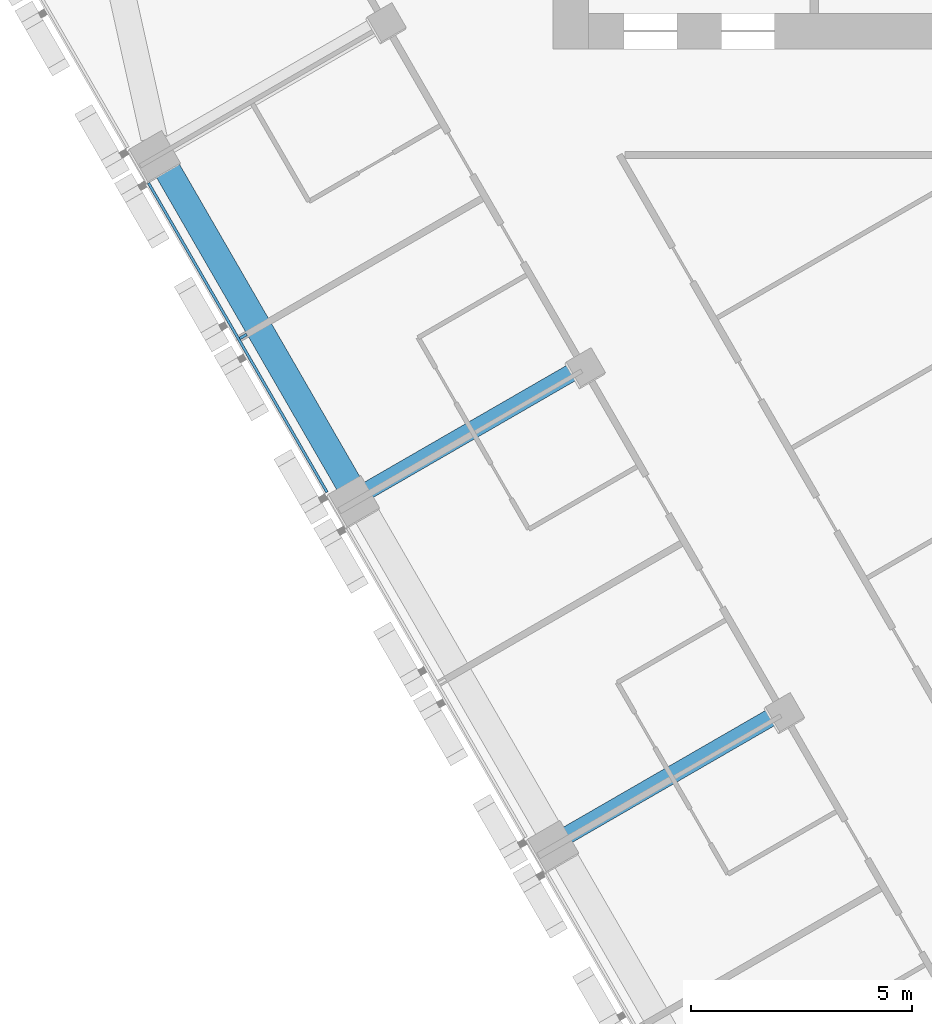
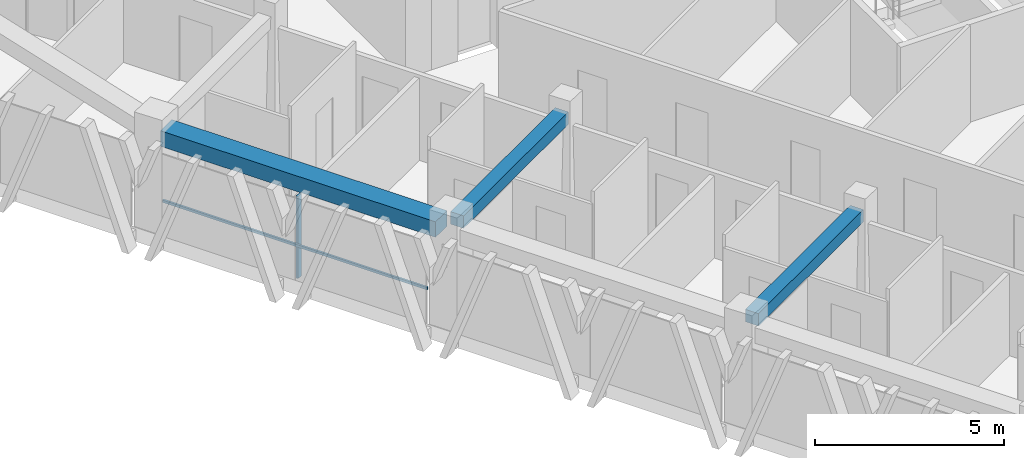
# One storey, part 3 of 16: 3 beams, 2 members, 1 element without a shape of its own.
"""IFC4 building model written with IfcOpenShell, lengths in metres."""

from ifc_helpers import new_model, si_unit, direction, frame, origin, origin_2d, place, context, subcontext, project, spatial, rectangle, extrude, material, layer, layer_set, material_profile, profile_set, type_object, element, aggregate, save


model = new_model("IFC4")

# Units and contexts
model_context = context("Model", 3, precision=1e-05, world=origin(), true_north=direction((0.0, 1.0)))
body_context = subcontext(model_context, "Body", "Model", "MODEL_VIEW")
ifc_project = project(units=[si_unit("LENGTHUNIT", "METRE"), si_unit("AREAUNIT", "SQUARE_METRE"), si_unit("VOLUMEUNIT", "CUBIC_METRE"), si_unit("PLANEANGLEUNIT", "RADIAN"), si_unit("MASSUNIT", "GRAM", prefix="KILO")], contexts=[model_context])

# Site, building, storey
site_placement = place(None, origin())
site = spatial("IfcSite", under=ifc_project, at=site_placement, CompositionType="ELEMENT")
building_placement = place(site_placement, origin())
building = spatial("IfcBuilding", under=site, at=building_placement, Name="Altiplano Prism Tower", CompositionType="ELEMENT")
storey_placement = place(building_placement, frame((0.0, 0.0, 149.39990234375)))
storey = spatial("IfcBuildingStorey", under=building, at=storey_placement, Name="L38", CompositionType="ELEMENT", Elevation=149.39990234375)

# Curtain wall, members
ifc_material_1 = material(Name="Aluminium and glass", Category="aluminium")
ifc_layer = layer(ifc_material_1, 0.280029296875)
ifc_layer_set = layer_set([ifc_layer], Name="Aluminium and glass")
curtain_wall_type = type_object("IfcCurtainWallType", Name="CW1 typical co-living unitised curtain wall", PredefinedType="NOTDEFINED", material=ifc_layer_set)
curtain_wall_placement = place(storey_placement, origin())
curtain_wall = element("IfcCurtainWall", 1, at=curtain_wall_placement, inside=storey, type_object=curtain_wall_type, Name="CW1 curtain wall south-west face L38", PredefinedType="NOTDEFINED")
ifc_material_2 = material(Name="Aluminium", Category="aluminium")
ifc_material_profile_1 = material_profile(ifc_material_2, rectangle(XDim=0.179931640625, YDim=0.06494140625, at=origin_2d()), Name="CW1 mullion 65 x 180")
ifc_profile_set_1 = profile_set([ifc_material_profile_1], Name="Aluminium")
member_type_1 = type_object("IfcMemberType", Name="CW1 mullion 65 x 180", PredefinedType="MULLION", material=ifc_profile_set_1)
member_1_placement = place(storey_placement, frame((65.19775390625, 86.099853515625, 0.0), z_axis=(0.0, 0.0, 1.0), x_axis=(0.86602540121, 0.500000004459, 0.0)))
member_1 = element("IfcMember", 2, at=member_1_placement, type_object=member_type_1, Name="CW1 mullion", PredefinedType="MULLION", context=body_context, shape_type="SweptSolid", body=[
    extrude(rectangle(XDim=0.179931640625, YDim=0.06494140625, at=origin_2d()), origin(), (0.0, 0.0, 1.0), 2.650146484375),
])
ifc_material_profile_2 = material_profile(ifc_material_2, rectangle(XDim=0.06005859375, YDim=0.080078125, at=origin_2d()), Name="CW1 transom 80 x 60")
ifc_profile_set_2 = profile_set([ifc_material_profile_2], Name="Aluminium")
member_type_2 = type_object("IfcMemberType", Name="CW1 transom 80 x 60", PredefinedType="USERDEFINED", material=ifc_profile_set_2)
member_2_placement = place(storey_placement, frame((63.056640625, 89.568359375, 1.10009765625), z_axis=(0.499994808408, -0.866028401131, 0.0), x_axis=(0.866028401131, 0.499994808408, 0.0)))
member_2 = element("IfcMember", 3, at=member_2_placement, type_object=member_type_2, Name="CW1 transom", ObjectType="TRANSOM", PredefinedType="USERDEFINED", context=body_context, shape_type="SweptSolid", body=[
    extrude(rectangle(XDim=0.06005859375, YDim=0.080078125, at=origin_2d()), origin(), (0.0, 0.0, 1.0), 8.06982421875),
])
aggregate(curtain_wall, [member_1, member_2])

# Beams
ifc_material_3 = material(Name="Concrete C60/75", Category="concrete")
ifc_material_profile_3 = material_profile(ifc_material_3, rectangle(XDim=0.60009765625, YDim=0.5, at=origin_2d()), Name="Edge beam 600x500")
ifc_profile_set_3 = profile_set([ifc_material_profile_3], Name="Concrete C60/75")
beam_type_1 = type_object("IfcBeamType", Name="Edge beam 600x500", PredefinedType="SPANDREL", material=ifc_profile_set_3)
beam_placement = place(storey_placement, frame((63.4052734375, 90.001220703125, 2.900146484375), z_axis=(0.500010445942, -0.866019372733, 0.0), x_axis=(0.866019372733, 0.500010445942, 0.0)))
element("IfcBeam", 4, at=beam_placement, inside=storey, type_object=beam_type_1, Name="Edge beam P11-P12 L39", PredefinedType="SPANDREL", context=body_context, shape_type="SweptSolid", body=[
    extrude(rectangle(XDim=0.60009765625, YDim=0.5, at=origin_2d()), origin(), (0.0, 0.0, 1.0), 8.389892578125),
])
ifc_material_profile_4 = material_profile(ifc_material_3, rectangle(XDim=0.39990234375, YDim=0.39990234375, at=origin_2d()), Name="Tie beam 400x400")
ifc_profile_set_4 = profile_set([ifc_material_profile_4], Name="Concrete C60/75")
beam_type_2 = type_object("IfcBeamType", Name="Tie beam 400x400", PredefinedType="BEAM", material=ifc_profile_set_4)
for number, where, z_axis, x_axis, name in (
    (5, (72.814697265625, 85.393798828125, 2.9501953125), (-0.866027073272, -0.499997108352, 0.0), (0.499997108352, -0.866027073272, 0.0), "Tie beam I12 L39"),
    (6, (77.314697265625, 77.599609375, 2.9501953125), (-0.866027073272, -0.499997108352, 0.0), (0.499997108352, -0.866027073272, 0.0), "Tie beam I13 L39"),
):
    element("IfcBeam", number, at=place(storey_placement, frame(where, z_axis=z_axis, x_axis=x_axis)), inside=storey, type_object=beam_type_2, Name=name, PredefinedType="BEAM", context=body_context, shape_type="SweptSolid", body=[
        extrude(rectangle(XDim=0.39990234375, YDim=0.39990234375, at=origin_2d()), origin(), (0.0, 0.0, 1.0), 5.5400390625),
    ])

save(model, "model.ifc")
